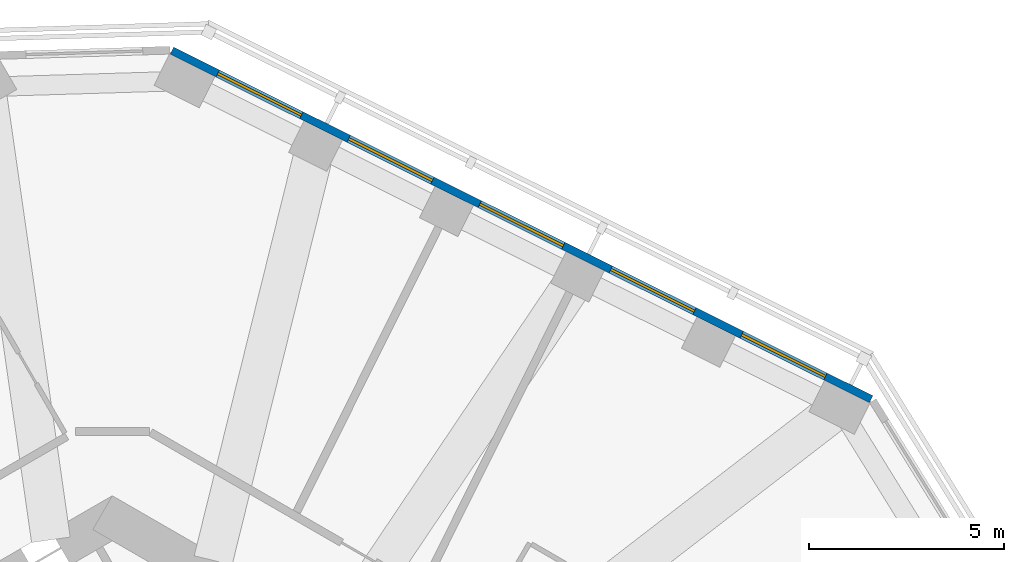
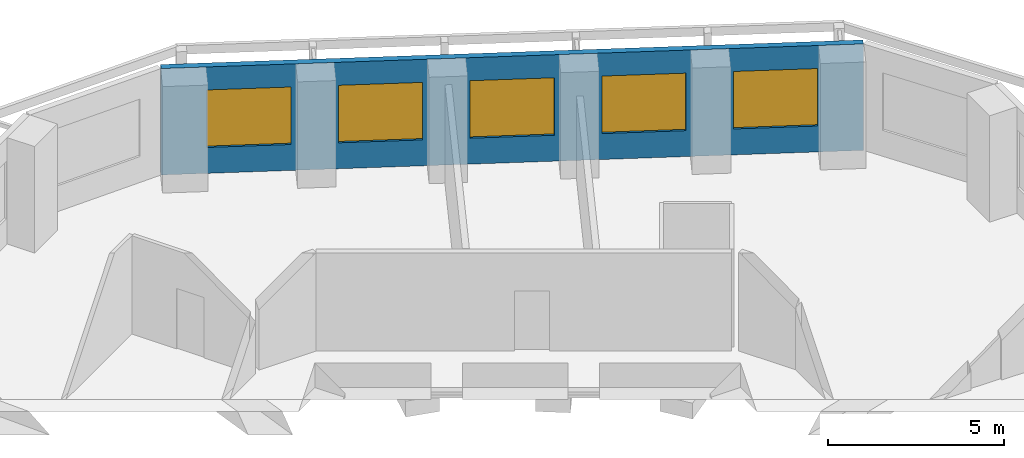
# One storey, part 8 of 11: 5 windows, 1 wall, 5 openings.
"""IFC4 building model written with IfcOpenShell, lengths in metres."""

from ifc_helpers import new_model, si_unit, direction, frame, frame_2d, origin, place, context, subcontext, project, spatial, rectangle, extrude, material, layer, layer_set, type_object, element, fill, save


model = new_model("IFC4")

# Units and contexts
model_context = context("Model", 3, precision=1e-05, world=origin(), true_north=direction((0.0, 1.0)))
body_context = subcontext(model_context, "Body", "Model", "MODEL_VIEW")
ifc_project = project(units=[si_unit("LENGTHUNIT", "METRE"), si_unit("AREAUNIT", "SQUARE_METRE"), si_unit("VOLUMEUNIT", "CUBIC_METRE"), si_unit("PLANEANGLEUNIT", "RADIAN"), si_unit("MASSUNIT", "GRAM", prefix="KILO")], contexts=[model_context])

# Site, building, storey
site_placement = place(None, origin())
site = spatial("IfcSite", under=ifc_project, at=site_placement, CompositionType="ELEMENT")
building_placement = place(site_placement, origin())
building = spatial("IfcBuilding", under=site, at=building_placement, Name="Vanh Sen Convention Tower", CompositionType="ELEMENT")
storey_placement = place(building_placement, frame((0.0, 0.0, 146.60009765625)))
storey = spatial("IfcBuildingStorey", under=building, at=storey_placement, Name="L35", CompositionType="ELEMENT", Elevation=146.60009765625)

# Wall, openings, windows
ifc_material_1 = material(Name="Insulated lightweight infill wall")
ifc_layer = layer(ifc_material_1, 0.199951171875)
ifc_layer_set = layer_set([ifc_layer], Name="Insulated lightweight infill wall")
wall_type = type_object("IfcWallType", Name="External wall 200", PredefinedType="STANDARD", material=ifc_layer_set)
wall_placement = place(storey_placement, frame((19.46435546875, 14.598876953125, 0.0), z_axis=(0.0, 0.0, 1.0), x_axis=(-0.894935755043, 0.446195018289, 0.0)))
wall = element("IfcWall", 1, at=wall_placement, inside=storey, type_object=wall_type, Name="External wall NE L35", PredefinedType="STANDARD", context=body_context, shape_type="SweptSolid", body=[
    extrude(rectangle(XDim=20.043701171875, YDim=0.199951171875, at=frame_2d((10.02197265625, 0.0))), origin(), (0.0, 0.0, 1.0), 3.699951171875),
])
opening_1_placement = place(wall_placement, frame((1.31298828125, 0.0, 0.89990234375)))
opening_1 = element("IfcOpeningElement", 2, at=opening_1_placement, cuts=wall, Name="Opening WO1-NE1", PredefinedType="OPENING", context=body_context, shape_type="SweptSolid", body=[
    extrude(rectangle(XDim=2.39990234375, YDim=2.0, at=frame_2d((1.199951171875, 1.0))), frame((0.0, 0.10986328125, 0.0), z_axis=(0.0, -1.0, 0.0), x_axis=(1.0, 0.0, 0.0)), (0.0, 0.0, 1.0), 0.219970703125),
])
opening_2_placement = place(wall_placement, frame((5.06689453125, 0.0, 0.89990234375)))
opening_2 = element("IfcOpeningElement", 3, at=opening_2_placement, cuts=wall, Name="Opening WO1-NE2", PredefinedType="OPENING", context=body_context, shape_type="SweptSolid", body=[
    extrude(rectangle(XDim=2.39990234375, YDim=2.0, at=frame_2d((1.199951171875, 1.0))), frame((0.0, 0.10986328125, 0.0), z_axis=(0.0, -1.0, 0.0), x_axis=(1.0, 0.0, 0.0)), (0.0, 0.0, 1.0), 0.219970703125),
])
opening_3_placement = place(wall_placement, frame((8.821044921875, 0.0, 0.89990234375)))
opening_3 = element("IfcOpeningElement", 4, at=opening_3_placement, cuts=wall, Name="Opening WO1-NE3", PredefinedType="OPENING", context=body_context, shape_type="SweptSolid", body=[
    extrude(rectangle(XDim=2.39990234375, YDim=2.0, at=frame_2d((1.199951171875, 1.0))), frame((0.0, 0.10986328125, 0.0), z_axis=(0.0, -1.0, 0.0), x_axis=(1.0, 0.0, 0.0)), (0.0, 0.0, 1.0), 0.219970703125),
])
opening_4_placement = place(wall_placement, frame((12.5751953125, 0.0, 0.89990234375)))
opening_4 = element("IfcOpeningElement", 5, at=opening_4_placement, cuts=wall, Name="Opening WO1-NE4", PredefinedType="OPENING", context=body_context, shape_type="SweptSolid", body=[
    extrude(rectangle(XDim=2.39990234375, YDim=2.0, at=frame_2d((1.199951171875, 1.0))), frame((0.0, 0.10986328125, 0.0), z_axis=(0.0, -1.0, 0.0), x_axis=(1.0, 0.0, 0.0)), (0.0, 0.0, 1.0), 0.219970703125),
])
opening_5_placement = place(wall_placement, frame((16.329345703125, 0.0, 0.89990234375)))
opening_5 = element("IfcOpeningElement", 6, at=opening_5_placement, cuts=wall, Name="Opening WO1-NE5", PredefinedType="OPENING", context=body_context, shape_type="SweptSolid", body=[
    extrude(rectangle(XDim=2.39990234375, YDim=2.0, at=frame_2d((1.199951171875, 1.0))), frame((0.0, 0.10986328125, 0.0), z_axis=(0.0, -1.0, 0.0), x_axis=(1.0, 0.0, 0.0)), (0.0, 0.0, 1.0), 0.219970703125),
])
ifc_material_2 = material(Name="Aluminium frame with clear low-emissivity glass", Category="aluminium")
window_type = type_object("IfcWindowType", Name="Office window 2400 x 2000", PartitioningType="SINGLE_PANEL", PredefinedType="WINDOW", material=ifc_material_2)
window_1_placement = place(opening_1_placement, origin())
window_1 = element("IfcWindow", 7, at=window_1_placement, inside=storey, type_object=window_type, Name="Window WO1-NE1", OverallHeight=2.0, OverallWidth=2.39990234375, PartitioningType="SINGLE_PANEL", PredefinedType="WINDOW", context=body_context, shape_type="SweptSolid", body=[
    extrude(rectangle(XDim=2.39990234375, YDim=2.0, at=frame_2d((1.199951171875, 1.0))), frame((0.0, 0.030029296875, 0.0), z_axis=(0.0, -1.0, 0.0), x_axis=(1.0, 0.0, 0.0)), (0.0, 0.0, 1.0), 0.06005859375),
])
fill(opening_1, window_1)
window_2_placement = place(opening_2_placement, origin())
window_2 = element("IfcWindow", 8, at=window_2_placement, inside=storey, type_object=window_type, Name="Window WO1-NE2", OverallHeight=2.0, OverallWidth=2.39990234375, PartitioningType="SINGLE_PANEL", PredefinedType="WINDOW", context=body_context, shape_type="SweptSolid", body=[
    extrude(rectangle(XDim=2.39990234375, YDim=2.0, at=frame_2d((1.199951171875, 1.0))), frame((0.0, 0.030029296875, 0.0), z_axis=(0.0, -1.0, 0.0), x_axis=(1.0, 0.0, 0.0)), (0.0, 0.0, 1.0), 0.06005859375),
])
fill(opening_2, window_2)
window_3_placement = place(opening_3_placement, origin())
window_3 = element("IfcWindow", 9, at=window_3_placement, inside=storey, type_object=window_type, Name="Window WO1-NE3", OverallHeight=2.0, OverallWidth=2.39990234375, PartitioningType="SINGLE_PANEL", PredefinedType="WINDOW", context=body_context, shape_type="SweptSolid", body=[
    extrude(rectangle(XDim=2.39990234375, YDim=2.0, at=frame_2d((1.199951171875, 1.0))), frame((0.0, 0.030029296875, 0.0), z_axis=(0.0, -1.0, 0.0), x_axis=(1.0, 0.0, 0.0)), (0.0, 0.0, 1.0), 0.06005859375),
])
fill(opening_3, window_3)
window_4_placement = place(opening_4_placement, origin())
window_4 = element("IfcWindow", 10, at=window_4_placement, inside=storey, type_object=window_type, Name="Window WO1-NE4", OverallHeight=2.0, OverallWidth=2.39990234375, PartitioningType="SINGLE_PANEL", PredefinedType="WINDOW", context=body_context, shape_type="SweptSolid", body=[
    extrude(rectangle(XDim=2.39990234375, YDim=2.0, at=frame_2d((1.199951171875, 1.0))), frame((0.0, 0.030029296875, 0.0), z_axis=(0.0, -1.0, 0.0), x_axis=(1.0, 0.0, 0.0)), (0.0, 0.0, 1.0), 0.06005859375),
])
fill(opening_4, window_4)
window_5_placement = place(opening_5_placement, origin())
window_5 = element("IfcWindow", 11, at=window_5_placement, inside=storey, type_object=window_type, Name="Window WO1-NE5", OverallHeight=2.0, OverallWidth=2.39990234375, PartitioningType="SINGLE_PANEL", PredefinedType="WINDOW", context=body_context, shape_type="SweptSolid", body=[
    extrude(rectangle(XDim=2.39990234375, YDim=2.0, at=frame_2d((1.199951171875, 1.0))), frame((0.0, 0.030029296875, 0.0), z_axis=(0.0, -1.0, 0.0), x_axis=(1.0, 0.0, 0.0)), (0.0, 0.0, 1.0), 0.06005859375),
])
fill(opening_5, window_5)

save(model, "model.ifc")
